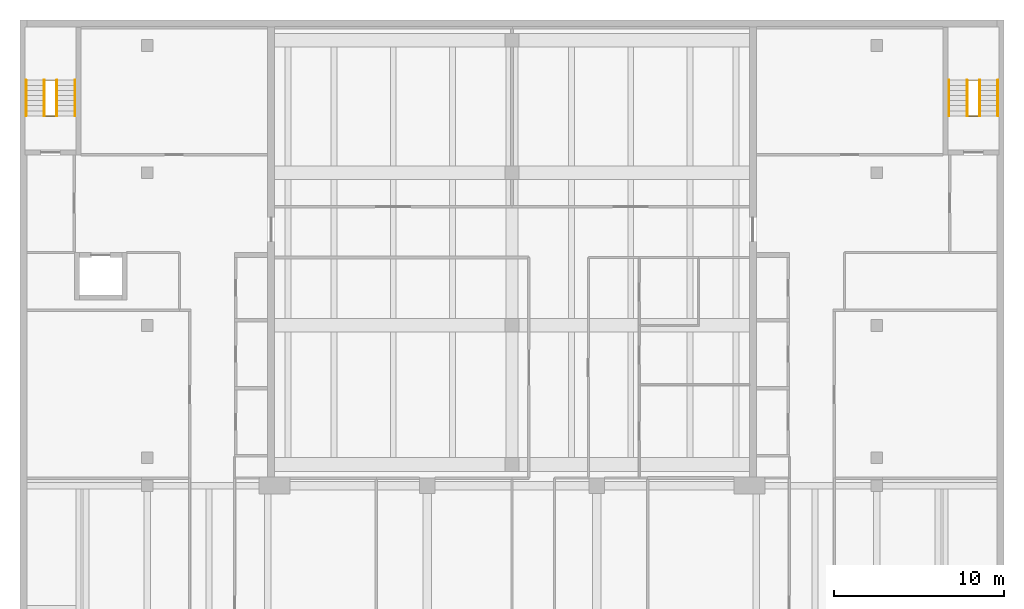
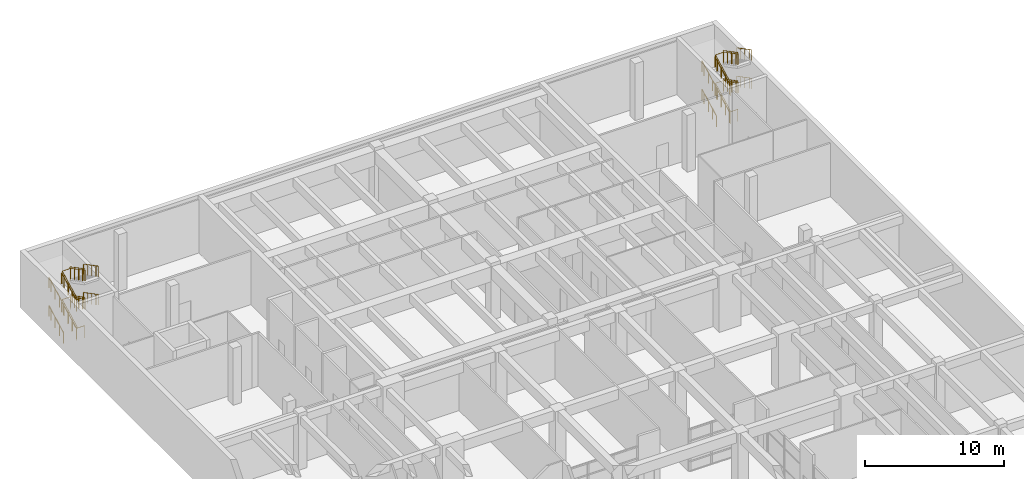
# One storey, part 28 of 29: 18 railings.
"""IFC4 building model written with IfcOpenShell, lengths in metres."""

from ifc_helpers import new_model, si_unit, direction, frame, origin, origin_2d, place, context, subcontext, project, spatial, circle, extrude, material, type_object, element, save


model = new_model("IFC4")

# Units and contexts
model_context = context("Model", 3, precision=1e-05, world=origin(), true_north=direction((0.0, 1.0)))
body_context = subcontext(model_context, "Body", "Model", "MODEL_VIEW")
ifc_project = project(units=[si_unit("LENGTHUNIT", "METRE"), si_unit("AREAUNIT", "SQUARE_METRE"), si_unit("VOLUMEUNIT", "CUBIC_METRE"), si_unit("PLANEANGLEUNIT", "RADIAN"), si_unit("MASSUNIT", "GRAM", prefix="KILO")], contexts=[model_context])

# Site, building, storey
site_placement = place(None, origin())
site = spatial("IfcSite", under=ifc_project, at=site_placement, CompositionType="ELEMENT")
building_placement = place(site_placement, origin())
building = spatial("IfcBuilding", under=site, at=building_placement, Name="Elmora Arch Market Hall", CompositionType="ELEMENT")
storey_placement = place(building_placement, frame((0.0, 0.0, -5.0)))
storey = spatial("IfcBuildingStorey", under=building, at=storey_placement, Name="LG", CompositionType="ELEMENT", Elevation=-5.0)

# Railings
ifc_material_1 = material(Name="Steel ASTM A500 Gr C", Category="steel")
railing_type_1 = type_object("IfcRailingType", Name="Stair guard 1100", PredefinedType="GUARDRAIL", material=ifc_material_1)
railing_1_placement = place(storey_placement, frame((2.1201171875, 120.35009765625, 0.0)))
element("IfcRailing", 1, at=railing_1_placement, inside=storey, type_object=railing_type_1, Name="Stair ST-W guard LG", PredefinedType="GUARDRAIL", context=body_context, shape_type="SweptSolid", body=[
    extrude(circle(Radius=0.02392578125, at=origin_2d()), frame((0.0, 0.0, 1.076171875), z_axis=(-1.0, 0.0, 0.0), x_axis=(0.0, -1.0, 0.0)), (0.0, 0.0, 1.0), 0.64013671875),
    extrude(circle(Radius=0.02392578125, at=origin_2d()), frame((-0.64013671875, 0.0, 1.076171875), z_axis=(0.0, 0.0, 1.0), x_axis=(1.0, 0.0, 0.0)), (0.0, 0.0, 1.0), 0.15625),
    extrude(circle(Radius=0.02392578125, at=origin_2d()), frame((-0.64013671875, 0.0, 1.232421875), z_axis=(0.0, 0.886867866569, 0.462023145791), x_axis=(-1.0, 0.0, 0.0)), (0.0, 0.0, 1.0), 0.67626953125),
    extrude(circle(Radius=0.02392578125, at=origin_2d()), frame((-0.64013671875, 0.599853515625, 1.544921875), z_axis=(0.0, 0.886944881109, 0.461875283897), x_axis=(-1.0, 0.0, 0.0)), (0.0, 0.0, 1.0), 0.676513671875),
    extrude(circle(Radius=0.02392578125, at=origin_2d()), frame((-0.64013671875, 1.199951171875, 1.857421875), z_axis=(0.0, 0.886867866569, 0.462023145791), x_axis=(-1.0, 0.0, 0.0)), (0.0, 0.0, 1.0), 0.67626953125),
    extrude(circle(Radius=0.02392578125, at=origin_2d()), frame((-0.64013671875, 1.7998046875, 2.169921875), z_axis=(0.0, 0.886944881109, 0.461875283897), x_axis=(-1.0, 0.0, 0.0)), (0.0, 0.0, 1.0), 0.33837890625),
    extrude(circle(Radius=0.02392578125, at=origin_2d()), frame((-0.64013671875, 2.099853515625, 2.326171875), z_axis=(1.0, 0.0, 0.0), x_axis=(0.0, 1.0, 0.0)), (0.0, 0.0, 1.0), 0.64013671875),
    extrude(circle(Radius=0.02392578125, at=origin_2d()), frame((0.0, 2.099853515625, 2.326171875), z_axis=(0.0, 0.0, 1.0), x_axis=(1.0, 0.0, 0.0)), (0.0, 0.0, 1.0), 0.15625),
    extrude(circle(Radius=0.02392578125, at=origin_2d()), frame((0.0, 2.099853515625, 2.482421875), z_axis=(0.0, -0.886867866569, 0.462023145791), x_axis=(1.0, 0.0, 0.0)), (0.0, 0.0, 1.0), 0.67626953125),
    extrude(circle(Radius=0.02392578125, at=origin_2d()), frame((0.0, 1.5, 2.794921875), z_axis=(0.0, -0.886944881109, 0.461875283897), x_axis=(1.0, 0.0, 0.0)), (0.0, 0.0, 1.0), 0.676513671875),
    extrude(circle(Radius=0.02392578125, at=origin_2d()), frame((0.0, 0.89990234375, 3.107421875), z_axis=(0.0, -0.886944881109, 0.461875283897), x_axis=(1.0, 0.0, 0.0)), (0.0, 0.0, 1.0), 0.676513671875),
    extrude(circle(Radius=0.02392578125, at=origin_2d()), frame((0.0, 0.2998046875, 3.419921875), z_axis=(0.0, -0.886790778033, 0.462171089529), x_axis=(1.0, 0.0, 0.0)), (0.0, 0.0, 1.0), 0.338134765625),
    extrude(circle(Radius=0.02392578125, at=origin_2d()), frame((0.0, 0.0, 3.576171875), z_axis=(-1.0, 0.0, 0.0), x_axis=(0.0, -1.0, 0.0)), (0.0, 0.0, 1.0), 0.64013671875),
    extrude(circle(Radius=0.02392578125, at=origin_2d()), frame((-0.64013671875, 0.0, 3.576171875), z_axis=(0.0, 0.0, 1.0), x_axis=(1.0, 0.0, 0.0)), (0.0, 0.0, 1.0), 0.15625),
    extrude(circle(Radius=0.02392578125, at=origin_2d()), frame((-0.64013671875, 0.0, 3.732421875), z_axis=(0.0, 0.886867866569, 0.462023145791), x_axis=(-1.0, 0.0, 0.0)), (0.0, 0.0, 1.0), 0.67626953125),
    extrude(circle(Radius=0.02392578125, at=origin_2d()), frame((-0.64013671875, 0.599853515625, 4.044921875), z_axis=(0.0, 0.886944881109, 0.461875283897), x_axis=(-1.0, 0.0, 0.0)), (0.0, 0.0, 1.0), 0.676513671875),
    extrude(circle(Radius=0.02392578125, at=origin_2d()), frame((-0.64013671875, 1.199951171875, 4.357421875), z_axis=(0.0, 0.886867866569, 0.462023145791), x_axis=(-1.0, 0.0, 0.0)), (0.0, 0.0, 1.0), 0.67626953125),
    extrude(circle(Radius=0.02392578125, at=origin_2d()), frame((-0.64013671875, 1.7998046875, 4.669921875), z_axis=(0.0, 0.886944881109, 0.461875283897), x_axis=(-1.0, 0.0, 0.0)), (0.0, 0.0, 1.0), 0.33837890625),
    extrude(circle(Radius=0.02392578125, at=origin_2d()), frame((-0.64013671875, 2.099853515625, 4.826171875), z_axis=(1.0, 0.0, 0.0), x_axis=(0.0, 1.0, 0.0)), (0.0, 0.0, 1.0), 0.64013671875),
    extrude(circle(Radius=0.02392578125, at=origin_2d()), frame((0.0, 2.099853515625, 4.826171875), z_axis=(0.0, 0.0, 1.0), x_axis=(1.0, 0.0, 0.0)), (0.0, 0.0, 1.0), 0.15625),
    extrude(circle(Radius=0.02392578125, at=origin_2d()), frame((0.0, 2.099853515625, 4.982421875), z_axis=(0.0, -0.886867866569, 0.462023145791), x_axis=(1.0, 0.0, 0.0)), (0.0, 0.0, 1.0), 0.67626953125),
    extrude(circle(Radius=0.02392578125, at=origin_2d()), frame((0.0, 1.5, 5.294921875), z_axis=(0.0, -0.886944881109, 0.461875283897), x_axis=(1.0, 0.0, 0.0)), (0.0, 0.0, 1.0), 0.676513671875),
    extrude(circle(Radius=0.02392578125, at=origin_2d()), frame((0.0, 0.89990234375, 5.607421875), z_axis=(0.0, -0.886944881109, 0.461875283897), x_axis=(1.0, 0.0, 0.0)), (0.0, 0.0, 1.0), 0.676513671875),
    extrude(circle(Radius=0.02392578125, at=origin_2d()), frame((0.0, 0.2998046875, 5.919921875), z_axis=(0.0, -0.886790778033, 0.462171089529), x_axis=(1.0, 0.0, 0.0)), (0.0, 0.0, 1.0), 0.338134765625),
    extrude(circle(Radius=0.02099609375, at=origin_2d()), origin(), (0.0, 0.0, 1.0), 1.052001953125),
    extrude(circle(Radius=0.02099609375, at=origin_2d()), frame((-0.64013671875, 0.0, 0.0)), (0.0, 0.0, 1.0), 1.052001953125),
    extrude(circle(Radius=0.02099609375, at=origin_2d()), frame((-0.64013671875, 0.0, 0.15625)), (0.0, 0.0, 1.0), 1.052001953125),
    extrude(circle(Radius=0.02099609375, at=origin_2d()), frame((-0.64013671875, 0.599853515625, 0.46875)), (0.0, 0.0, 1.0), 1.052001953125),
    extrude(circle(Radius=0.02099609375, at=origin_2d()), frame((-0.64013671875, 1.199951171875, 0.78125)), (0.0, 0.0, 1.0), 1.052001953125),
    extrude(circle(Radius=0.02099609375, at=origin_2d()), frame((-0.64013671875, 1.7998046875, 1.09375)), (0.0, 0.0, 1.0), 1.052001953125),
    extrude(circle(Radius=0.02099609375, at=origin_2d()), frame((-0.64013671875, 2.099853515625, 1.25)), (0.0, 0.0, 1.0), 1.052001953125),
    extrude(circle(Radius=0.02099609375, at=origin_2d()), frame((0.0, 2.099853515625, 1.25)), (0.0, 0.0, 1.0), 1.052001953125),
    extrude(circle(Radius=0.02099609375, at=origin_2d()), frame((0.0, 2.099853515625, 1.40625)), (0.0, 0.0, 1.0), 1.052001953125),
    extrude(circle(Radius=0.02099609375, at=origin_2d()), frame((0.0, 1.5, 1.71875)), (0.0, 0.0, 1.0), 1.052001953125),
    extrude(circle(Radius=0.02099609375, at=origin_2d()), frame((0.0, 0.89990234375, 2.03125)), (0.0, 0.0, 1.0), 1.052001953125),
    extrude(circle(Radius=0.02099609375, at=origin_2d()), frame((0.0, 0.2998046875, 2.34375)), (0.0, 0.0, 1.0), 1.052001953125),
    extrude(circle(Radius=0.02099609375, at=origin_2d()), frame((0.0, 0.0, 2.5)), (0.0, 0.0, 1.0), 1.052001953125),
    extrude(circle(Radius=0.02099609375, at=origin_2d()), frame((-0.64013671875, 0.0, 2.5)), (0.0, 0.0, 1.0), 1.052001953125),
    extrude(circle(Radius=0.02099609375, at=origin_2d()), frame((-0.64013671875, 0.0, 2.65625)), (0.0, 0.0, 1.0), 1.052001953125),
    extrude(circle(Radius=0.02099609375, at=origin_2d()), frame((-0.64013671875, 0.599853515625, 2.96875)), (0.0, 0.0, 1.0), 1.052001953125),
    extrude(circle(Radius=0.02099609375, at=origin_2d()), frame((-0.64013671875, 1.199951171875, 3.28125)), (0.0, 0.0, 1.0), 1.052001953125),
    extrude(circle(Radius=0.02099609375, at=origin_2d()), frame((-0.64013671875, 1.7998046875, 3.59375)), (0.0, 0.0, 1.0), 1.052001953125),
    extrude(circle(Radius=0.02099609375, at=origin_2d()), frame((-0.64013671875, 2.099853515625, 3.75)), (0.0, 0.0, 1.0), 1.052001953125),
    extrude(circle(Radius=0.02099609375, at=origin_2d()), frame((0.0, 2.099853515625, 3.75)), (0.0, 0.0, 1.0), 1.052001953125),
    extrude(circle(Radius=0.02099609375, at=origin_2d()), frame((0.0, 2.099853515625, 3.90625)), (0.0, 0.0, 1.0), 1.052001953125),
    extrude(circle(Radius=0.02099609375, at=origin_2d()), frame((0.0, 1.5, 4.21875)), (0.0, 0.0, 1.0), 1.052001953125),
    extrude(circle(Radius=0.02099609375, at=origin_2d()), frame((0.0, 0.89990234375, 4.53125)), (0.0, 0.0, 1.0), 1.052001953125),
    extrude(circle(Radius=0.02099609375, at=origin_2d()), frame((0.0, 0.2998046875, 4.84375)), (0.0, 0.0, 1.0), 1.052001953125),
    extrude(circle(Radius=0.02099609375, at=origin_2d()), frame((0.0, 0.0, 5.0)), (0.0, 0.0, 1.0), 1.052001953125),
])
railing_2_placement = place(storey_placement, frame((56.52001953125, 120.35009765625, 0.0)))
element("IfcRailing", 2, at=railing_2_placement, inside=storey, type_object=railing_type_1, Name="Stair ST-E guard LG", PredefinedType="GUARDRAIL", context=body_context, shape_type="SweptSolid", body=[
    extrude(circle(Radius=0.02392578125, at=origin_2d()), frame((0.0, 0.0, 1.076171875), z_axis=(-1.0, 0.0, 0.0), x_axis=(0.0, -1.0, 0.0)), (0.0, 0.0, 1.0), 0.64013671875),
    extrude(circle(Radius=0.02392578125, at=origin_2d()), frame((-0.64013671875, 0.0, 1.076171875), z_axis=(0.0, 0.0, 1.0), x_axis=(1.0, 0.0, 0.0)), (0.0, 0.0, 1.0), 0.15625),
    extrude(circle(Radius=0.02392578125, at=origin_2d()), frame((-0.64013671875, 0.0, 1.232421875), z_axis=(0.0, 0.886867866569, 0.462023145791), x_axis=(-1.0, 0.0, 0.0)), (0.0, 0.0, 1.0), 0.67626953125),
    extrude(circle(Radius=0.02392578125, at=origin_2d()), frame((-0.64013671875, 0.599853515625, 1.544921875), z_axis=(0.0, 0.886944881109, 0.461875283897), x_axis=(-1.0, 0.0, 0.0)), (0.0, 0.0, 1.0), 0.676513671875),
    extrude(circle(Radius=0.02392578125, at=origin_2d()), frame((-0.64013671875, 1.199951171875, 1.857421875), z_axis=(0.0, 0.886867866569, 0.462023145791), x_axis=(-1.0, 0.0, 0.0)), (0.0, 0.0, 1.0), 0.67626953125),
    extrude(circle(Radius=0.02392578125, at=origin_2d()), frame((-0.64013671875, 1.7998046875, 2.169921875), z_axis=(0.0, 0.886944881109, 0.461875283897), x_axis=(-1.0, 0.0, 0.0)), (0.0, 0.0, 1.0), 0.33837890625),
    extrude(circle(Radius=0.02392578125, at=origin_2d()), frame((-0.64013671875, 2.099853515625, 2.326171875), z_axis=(1.0, 0.0, 0.0), x_axis=(0.0, 1.0, 0.0)), (0.0, 0.0, 1.0), 0.64013671875),
    extrude(circle(Radius=0.02392578125, at=origin_2d()), frame((0.0, 2.099853515625, 2.326171875), z_axis=(0.0, 0.0, 1.0), x_axis=(1.0, 0.0, 0.0)), (0.0, 0.0, 1.0), 0.15625),
    extrude(circle(Radius=0.02392578125, at=origin_2d()), frame((0.0, 2.099853515625, 2.482421875), z_axis=(0.0, -0.886867866569, 0.462023145791), x_axis=(1.0, 0.0, 0.0)), (0.0, 0.0, 1.0), 0.67626953125),
    extrude(circle(Radius=0.02392578125, at=origin_2d()), frame((0.0, 1.5, 2.794921875), z_axis=(0.0, -0.886944881109, 0.461875283897), x_axis=(1.0, 0.0, 0.0)), (0.0, 0.0, 1.0), 0.676513671875),
    extrude(circle(Radius=0.02392578125, at=origin_2d()), frame((0.0, 0.89990234375, 3.107421875), z_axis=(0.0, -0.886944881109, 0.461875283897), x_axis=(1.0, 0.0, 0.0)), (0.0, 0.0, 1.0), 0.676513671875),
    extrude(circle(Radius=0.02392578125, at=origin_2d()), frame((0.0, 0.2998046875, 3.419921875), z_axis=(0.0, -0.886790778033, 0.462171089529), x_axis=(1.0, 0.0, 0.0)), (0.0, 0.0, 1.0), 0.338134765625),
    extrude(circle(Radius=0.02392578125, at=origin_2d()), frame((0.0, 0.0, 3.576171875), z_axis=(-1.0, 0.0, 0.0), x_axis=(0.0, -1.0, 0.0)), (0.0, 0.0, 1.0), 0.64013671875),
    extrude(circle(Radius=0.02392578125, at=origin_2d()), frame((-0.64013671875, 0.0, 3.576171875), z_axis=(0.0, 0.0, 1.0), x_axis=(1.0, 0.0, 0.0)), (0.0, 0.0, 1.0), 0.15625),
    extrude(circle(Radius=0.02392578125, at=origin_2d()), frame((-0.64013671875, 0.0, 3.732421875), z_axis=(0.0, 0.886867866569, 0.462023145791), x_axis=(-1.0, 0.0, 0.0)), (0.0, 0.0, 1.0), 0.67626953125),
    extrude(circle(Radius=0.02392578125, at=origin_2d()), frame((-0.64013671875, 0.599853515625, 4.044921875), z_axis=(0.0, 0.886944881109, 0.461875283897), x_axis=(-1.0, 0.0, 0.0)), (0.0, 0.0, 1.0), 0.676513671875),
    extrude(circle(Radius=0.02392578125, at=origin_2d()), frame((-0.64013671875, 1.199951171875, 4.357421875), z_axis=(0.0, 0.886867866569, 0.462023145791), x_axis=(-1.0, 0.0, 0.0)), (0.0, 0.0, 1.0), 0.67626953125),
    extrude(circle(Radius=0.02392578125, at=origin_2d()), frame((-0.64013671875, 1.7998046875, 4.669921875), z_axis=(0.0, 0.886944881109, 0.461875283897), x_axis=(-1.0, 0.0, 0.0)), (0.0, 0.0, 1.0), 0.33837890625),
    extrude(circle(Radius=0.02392578125, at=origin_2d()), frame((-0.64013671875, 2.099853515625, 4.826171875), z_axis=(1.0, 0.0, 0.0), x_axis=(0.0, 1.0, 0.0)), (0.0, 0.0, 1.0), 0.64013671875),
    extrude(circle(Radius=0.02392578125, at=origin_2d()), frame((0.0, 2.099853515625, 4.826171875), z_axis=(0.0, 0.0, 1.0), x_axis=(1.0, 0.0, 0.0)), (0.0, 0.0, 1.0), 0.15625),
    extrude(circle(Radius=0.02392578125, at=origin_2d()), frame((0.0, 2.099853515625, 4.982421875), z_axis=(0.0, -0.886867866569, 0.462023145791), x_axis=(1.0, 0.0, 0.0)), (0.0, 0.0, 1.0), 0.67626953125),
    extrude(circle(Radius=0.02392578125, at=origin_2d()), frame((0.0, 1.5, 5.294921875), z_axis=(0.0, -0.886944881109, 0.461875283897), x_axis=(1.0, 0.0, 0.0)), (0.0, 0.0, 1.0), 0.676513671875),
    extrude(circle(Radius=0.02392578125, at=origin_2d()), frame((0.0, 0.89990234375, 5.607421875), z_axis=(0.0, -0.886944881109, 0.461875283897), x_axis=(1.0, 0.0, 0.0)), (0.0, 0.0, 1.0), 0.676513671875),
    extrude(circle(Radius=0.02392578125, at=origin_2d()), frame((0.0, 0.2998046875, 5.919921875), z_axis=(0.0, -0.886790778033, 0.462171089529), x_axis=(1.0, 0.0, 0.0)), (0.0, 0.0, 1.0), 0.338134765625),
    extrude(circle(Radius=0.02099609375, at=origin_2d()), origin(), (0.0, 0.0, 1.0), 1.052001953125),
    extrude(circle(Radius=0.02099609375, at=origin_2d()), frame((-0.64013671875, 0.0, 0.0)), (0.0, 0.0, 1.0), 1.052001953125),
    extrude(circle(Radius=0.02099609375, at=origin_2d()), frame((-0.64013671875, 0.0, 0.15625)), (0.0, 0.0, 1.0), 1.052001953125),
    extrude(circle(Radius=0.02099609375, at=origin_2d()), frame((-0.64013671875, 0.599853515625, 0.46875)), (0.0, 0.0, 1.0), 1.052001953125),
    extrude(circle(Radius=0.02099609375, at=origin_2d()), frame((-0.64013671875, 1.199951171875, 0.78125)), (0.0, 0.0, 1.0), 1.052001953125),
    extrude(circle(Radius=0.02099609375, at=origin_2d()), frame((-0.64013671875, 1.7998046875, 1.09375)), (0.0, 0.0, 1.0), 1.052001953125),
    extrude(circle(Radius=0.02099609375, at=origin_2d()), frame((-0.64013671875, 2.099853515625, 1.25)), (0.0, 0.0, 1.0), 1.052001953125),
    extrude(circle(Radius=0.02099609375, at=origin_2d()), frame((0.0, 2.099853515625, 1.25)), (0.0, 0.0, 1.0), 1.052001953125),
    extrude(circle(Radius=0.02099609375, at=origin_2d()), frame((0.0, 2.099853515625, 1.40625)), (0.0, 0.0, 1.0), 1.052001953125),
    extrude(circle(Radius=0.02099609375, at=origin_2d()), frame((0.0, 1.5, 1.71875)), (0.0, 0.0, 1.0), 1.052001953125),
    extrude(circle(Radius=0.02099609375, at=origin_2d()), frame((0.0, 0.89990234375, 2.03125)), (0.0, 0.0, 1.0), 1.052001953125),
    extrude(circle(Radius=0.02099609375, at=origin_2d()), frame((0.0, 0.2998046875, 2.34375)), (0.0, 0.0, 1.0), 1.052001953125),
    extrude(circle(Radius=0.02099609375, at=origin_2d()), frame((0.0, 0.0, 2.5)), (0.0, 0.0, 1.0), 1.052001953125),
    extrude(circle(Radius=0.02099609375, at=origin_2d()), frame((-0.64013671875, 0.0, 2.5)), (0.0, 0.0, 1.0), 1.052001953125),
    extrude(circle(Radius=0.02099609375, at=origin_2d()), frame((-0.64013671875, 0.0, 2.65625)), (0.0, 0.0, 1.0), 1.052001953125),
    extrude(circle(Radius=0.02099609375, at=origin_2d()), frame((-0.64013671875, 0.599853515625, 2.96875)), (0.0, 0.0, 1.0), 1.052001953125),
    extrude(circle(Radius=0.02099609375, at=origin_2d()), frame((-0.64013671875, 1.199951171875, 3.28125)), (0.0, 0.0, 1.0), 1.052001953125),
    extrude(circle(Radius=0.02099609375, at=origin_2d()), frame((-0.64013671875, 1.7998046875, 3.59375)), (0.0, 0.0, 1.0), 1.052001953125),
    extrude(circle(Radius=0.02099609375, at=origin_2d()), frame((-0.64013671875, 2.099853515625, 3.75)), (0.0, 0.0, 1.0), 1.052001953125),
    extrude(circle(Radius=0.02099609375, at=origin_2d()), frame((0.0, 2.099853515625, 3.75)), (0.0, 0.0, 1.0), 1.052001953125),
    extrude(circle(Radius=0.02099609375, at=origin_2d()), frame((0.0, 2.099853515625, 3.90625)), (0.0, 0.0, 1.0), 1.052001953125),
    extrude(circle(Radius=0.02099609375, at=origin_2d()), frame((0.0, 1.5, 4.21875)), (0.0, 0.0, 1.0), 1.052001953125),
    extrude(circle(Radius=0.02099609375, at=origin_2d()), frame((0.0, 0.89990234375, 4.53125)), (0.0, 0.0, 1.0), 1.052001953125),
    extrude(circle(Radius=0.02099609375, at=origin_2d()), frame((0.0, 0.2998046875, 4.84375)), (0.0, 0.0, 1.0), 1.052001953125),
    extrude(circle(Radius=0.02099609375, at=origin_2d()), frame((0.0, 0.0, 5.0)), (0.0, 0.0, 1.0), 1.052001953125),
])
ifc_material_2 = material(Name="Stainless steel ASTM A554 Grade 304", Category="steel")
railing_type_2 = type_object("IfcRailingType", Name="Stair handrail 950", PredefinedType="HANDRAIL", material=ifc_material_2)
for number, where, name in (
    (3, (0.360107421875, 120.35009765625, 0.15625), "Stair ST-W LG flight 1 handrail"),
    (4, (1.429931640625, 120.35009765625, 0.15625), "Stair ST-W LG flight 1 handrail"),
):
    element("IfcRailing", number, at=place(storey_placement, frame(where)), inside=storey, type_object=railing_type_2, Name=name, PredefinedType="HANDRAIL", context=body_context, shape_type="SweptSolid", body=[
        extrude(circle(Radius=0.02392578125, at=origin_2d()), frame((0.0, 0.0, 0.92578125), z_axis=(0.0, 0.886867866569, 0.462023145791), x_axis=(-1.0, 0.0, 0.0)), (0.0, 0.0, 1.0), 0.67626953125),
        extrude(circle(Radius=0.02392578125, at=origin_2d()), frame((0.0, 0.599853515625, 1.23828125), z_axis=(0.0, 0.886944881109, 0.461875283897), x_axis=(-1.0, 0.0, 0.0)), (0.0, 0.0, 1.0), 0.676513671875),
        extrude(circle(Radius=0.02392578125, at=origin_2d()), frame((0.0, 1.199951171875, 1.55078125), z_axis=(0.0, 0.886867866569, 0.462023145791), x_axis=(-1.0, 0.0, 0.0)), (0.0, 0.0, 1.0), 0.67626953125),
        extrude(circle(Radius=0.02392578125, at=origin_2d()), frame((0.0, 1.7998046875, 1.86328125), z_axis=(0.0, 0.886944881109, 0.461875283897), x_axis=(-1.0, 0.0, 0.0)), (0.0, 0.0, 1.0), 0.33837890625),
        extrude(circle(Radius=0.02099609375, at=origin_2d()), origin(), (0.0, 0.0, 1.0), 0.90185546875),
        extrude(circle(Radius=0.02099609375, at=origin_2d()), frame((0.0, 0.599853515625, 0.3125)), (0.0, 0.0, 1.0), 0.90185546875),
        extrude(circle(Radius=0.02099609375, at=origin_2d()), frame((0.0, 1.199951171875, 0.625)), (0.0, 0.0, 1.0), 0.90185546875),
        extrude(circle(Radius=0.02099609375, at=origin_2d()), frame((0.0, 1.7998046875, 0.9375)), (0.0, 0.0, 1.0), 0.90185546875),
        extrude(circle(Radius=0.02099609375, at=origin_2d()), frame((0.0, 2.099853515625, 1.09375)), (0.0, 0.0, 1.0), 0.90185546875),
    ])
for number, where, name in (
    (5, (3.239990234375, 122.449951171875, 1.40625), "Stair ST-W LG flight 2 handrail"),
    (6, (2.169921875, 122.449951171875, 1.40625), "Stair ST-W LG flight 2 handrail"),
):
    element("IfcRailing", number, at=place(storey_placement, frame(where)), inside=storey, type_object=railing_type_2, Name=name, PredefinedType="HANDRAIL", context=body_context, shape_type="SweptSolid", body=[
        extrude(circle(Radius=0.02392578125, at=origin_2d()), frame((0.0, 0.0, 0.92578125), z_axis=(0.0, -0.886867866569, 0.462023145791), x_axis=(1.0, 0.0, 0.0)), (0.0, 0.0, 1.0), 0.67626953125),
        extrude(circle(Radius=0.02392578125, at=origin_2d()), frame((0.0, -0.599853515625, 1.23828125), z_axis=(0.0, -0.886944881109, 0.461875283897), x_axis=(1.0, 0.0, 0.0)), (0.0, 0.0, 1.0), 0.676513671875),
        extrude(circle(Radius=0.02392578125, at=origin_2d()), frame((0.0, -1.199951171875, 1.55078125), z_axis=(0.0, -0.886944881109, 0.461875283897), x_axis=(1.0, 0.0, 0.0)), (0.0, 0.0, 1.0), 0.676513671875),
        extrude(circle(Radius=0.02392578125, at=origin_2d()), frame((0.0, -1.800048828125, 1.86328125), z_axis=(0.0, -0.886790778033, 0.462171089529), x_axis=(1.0, 0.0, 0.0)), (0.0, 0.0, 1.0), 0.338134765625),
        extrude(circle(Radius=0.02099609375, at=origin_2d()), origin(), (0.0, 0.0, 1.0), 0.90185546875),
        extrude(circle(Radius=0.02099609375, at=origin_2d()), frame((0.0, -0.599853515625, 0.3125)), (0.0, 0.0, 1.0), 0.90185546875),
        extrude(circle(Radius=0.02099609375, at=origin_2d()), frame((0.0, -1.199951171875, 0.625)), (0.0, 0.0, 1.0), 0.90185546875),
        extrude(circle(Radius=0.02099609375, at=origin_2d()), frame((0.0, -1.800048828125, 0.9375)), (0.0, 0.0, 1.0), 0.90185546875),
        extrude(circle(Radius=0.02099609375, at=origin_2d()), frame((0.0, -2.099853515625, 1.09375)), (0.0, 0.0, 1.0), 0.90185546875),
    ])
for number, where, name in (
    (7, (0.360107421875, 120.35009765625, 2.65625), "Stair ST-W LG flight 3 handrail"),
    (8, (1.429931640625, 120.35009765625, 2.65625), "Stair ST-W LG flight 3 handrail"),
):
    element("IfcRailing", number, at=place(storey_placement, frame(where)), inside=storey, type_object=railing_type_2, Name=name, PredefinedType="HANDRAIL", context=body_context, shape_type="SweptSolid", body=[
        extrude(circle(Radius=0.02392578125, at=origin_2d()), frame((0.0, 0.0, 0.92578125), z_axis=(0.0, 0.886867866569, 0.462023145791), x_axis=(-1.0, 0.0, 0.0)), (0.0, 0.0, 1.0), 0.67626953125),
        extrude(circle(Radius=0.02392578125, at=origin_2d()), frame((0.0, 0.599853515625, 1.23828125), z_axis=(0.0, 0.886944881109, 0.461875283897), x_axis=(-1.0, 0.0, 0.0)), (0.0, 0.0, 1.0), 0.676513671875),
        extrude(circle(Radius=0.02392578125, at=origin_2d()), frame((0.0, 1.199951171875, 1.55078125), z_axis=(0.0, 0.886867866569, 0.462023145791), x_axis=(-1.0, 0.0, 0.0)), (0.0, 0.0, 1.0), 0.67626953125),
        extrude(circle(Radius=0.02392578125, at=origin_2d()), frame((0.0, 1.7998046875, 1.86328125), z_axis=(0.0, 0.886944881109, 0.461875283897), x_axis=(-1.0, 0.0, 0.0)), (0.0, 0.0, 1.0), 0.33837890625),
        extrude(circle(Radius=0.02099609375, at=origin_2d()), origin(), (0.0, 0.0, 1.0), 0.90185546875),
        extrude(circle(Radius=0.02099609375, at=origin_2d()), frame((0.0, 0.599853515625, 0.3125)), (0.0, 0.0, 1.0), 0.90185546875),
        extrude(circle(Radius=0.02099609375, at=origin_2d()), frame((0.0, 1.199951171875, 0.625)), (0.0, 0.0, 1.0), 0.90185546875),
        extrude(circle(Radius=0.02099609375, at=origin_2d()), frame((0.0, 1.7998046875, 0.9375)), (0.0, 0.0, 1.0), 0.90185546875),
        extrude(circle(Radius=0.02099609375, at=origin_2d()), frame((0.0, 2.099853515625, 1.09375)), (0.0, 0.0, 1.0), 0.90185546875),
    ])
for number, where, name in (
    (9, (3.239990234375, 122.449951171875, 3.90625), "Stair ST-W LG flight 4 handrail"),
    (10, (2.169921875, 122.449951171875, 3.90625), "Stair ST-W LG flight 4 handrail"),
):
    element("IfcRailing", number, at=place(storey_placement, frame(where)), inside=storey, type_object=railing_type_2, Name=name, PredefinedType="HANDRAIL", context=body_context, shape_type="SweptSolid", body=[
        extrude(circle(Radius=0.02392578125, at=origin_2d()), frame((0.0, 0.0, 0.92578125), z_axis=(0.0, -0.886867866569, 0.462023145791), x_axis=(1.0, 0.0, 0.0)), (0.0, 0.0, 1.0), 0.67626953125),
        extrude(circle(Radius=0.02392578125, at=origin_2d()), frame((0.0, -0.599853515625, 1.23828125), z_axis=(0.0, -0.886944881109, 0.461875283897), x_axis=(1.0, 0.0, 0.0)), (0.0, 0.0, 1.0), 0.676513671875),
        extrude(circle(Radius=0.02392578125, at=origin_2d()), frame((0.0, -1.199951171875, 1.55078125), z_axis=(0.0, -0.886944881109, 0.461875283897), x_axis=(1.0, 0.0, 0.0)), (0.0, 0.0, 1.0), 0.676513671875),
        extrude(circle(Radius=0.02392578125, at=origin_2d()), frame((0.0, -1.800048828125, 1.86328125), z_axis=(0.0, -0.886790778033, 0.462171089529), x_axis=(1.0, 0.0, 0.0)), (0.0, 0.0, 1.0), 0.338134765625),
        extrude(circle(Radius=0.02099609375, at=origin_2d()), origin(), (0.0, 0.0, 1.0), 0.90185546875),
        extrude(circle(Radius=0.02099609375, at=origin_2d()), frame((0.0, -0.599853515625, 0.3125)), (0.0, 0.0, 1.0), 0.90185546875),
        extrude(circle(Radius=0.02099609375, at=origin_2d()), frame((0.0, -1.199951171875, 0.625)), (0.0, 0.0, 1.0), 0.90185546875),
        extrude(circle(Radius=0.02099609375, at=origin_2d()), frame((0.0, -1.800048828125, 0.9375)), (0.0, 0.0, 1.0), 0.90185546875),
        extrude(circle(Radius=0.02099609375, at=origin_2d()), frame((0.0, -2.099853515625, 1.09375)), (0.0, 0.0, 1.0), 0.90185546875),
    ])
for number, where, name in (
    (11, (54.760009765625, 120.35009765625, 0.15625), "Stair ST-E LG flight 1 handrail"),
    (12, (55.830078125, 120.35009765625, 0.15625), "Stair ST-E LG flight 1 handrail"),
):
    element("IfcRailing", number, at=place(storey_placement, frame(where)), inside=storey, type_object=railing_type_2, Name=name, PredefinedType="HANDRAIL", context=body_context, shape_type="SweptSolid", body=[
        extrude(circle(Radius=0.02392578125, at=origin_2d()), frame((0.0, 0.0, 0.92578125), z_axis=(0.0, 0.886867866569, 0.462023145791), x_axis=(-1.0, 0.0, 0.0)), (0.0, 0.0, 1.0), 0.67626953125),
        extrude(circle(Radius=0.02392578125, at=origin_2d()), frame((0.0, 0.599853515625, 1.23828125), z_axis=(0.0, 0.886944881109, 0.461875283897), x_axis=(-1.0, 0.0, 0.0)), (0.0, 0.0, 1.0), 0.676513671875),
        extrude(circle(Radius=0.02392578125, at=origin_2d()), frame((0.0, 1.199951171875, 1.55078125), z_axis=(0.0, 0.886867866569, 0.462023145791), x_axis=(-1.0, 0.0, 0.0)), (0.0, 0.0, 1.0), 0.67626953125),
        extrude(circle(Radius=0.02392578125, at=origin_2d()), frame((0.0, 1.7998046875, 1.86328125), z_axis=(0.0, 0.886944881109, 0.461875283897), x_axis=(-1.0, 0.0, 0.0)), (0.0, 0.0, 1.0), 0.33837890625),
        extrude(circle(Radius=0.02099609375, at=origin_2d()), origin(), (0.0, 0.0, 1.0), 0.90185546875),
        extrude(circle(Radius=0.02099609375, at=origin_2d()), frame((0.0, 0.599853515625, 0.3125)), (0.0, 0.0, 1.0), 0.90185546875),
        extrude(circle(Radius=0.02099609375, at=origin_2d()), frame((0.0, 1.199951171875, 0.625)), (0.0, 0.0, 1.0), 0.90185546875),
        extrude(circle(Radius=0.02099609375, at=origin_2d()), frame((0.0, 1.7998046875, 0.9375)), (0.0, 0.0, 1.0), 0.90185546875),
        extrude(circle(Radius=0.02099609375, at=origin_2d()), frame((0.0, 2.099853515625, 1.09375)), (0.0, 0.0, 1.0), 0.90185546875),
    ])
for number, where, name in (
    (13, (57.639892578125, 122.449951171875, 1.40625), "Stair ST-E LG flight 2 handrail"),
    (14, (56.570068359375, 122.449951171875, 1.40625), "Stair ST-E LG flight 2 handrail"),
):
    element("IfcRailing", number, at=place(storey_placement, frame(where)), inside=storey, type_object=railing_type_2, Name=name, PredefinedType="HANDRAIL", context=body_context, shape_type="SweptSolid", body=[
        extrude(circle(Radius=0.02392578125, at=origin_2d()), frame((0.0, 0.0, 0.92578125), z_axis=(0.0, -0.886867866569, 0.462023145791), x_axis=(1.0, 0.0, 0.0)), (0.0, 0.0, 1.0), 0.67626953125),
        extrude(circle(Radius=0.02392578125, at=origin_2d()), frame((0.0, -0.599853515625, 1.23828125), z_axis=(0.0, -0.886944881109, 0.461875283897), x_axis=(1.0, 0.0, 0.0)), (0.0, 0.0, 1.0), 0.676513671875),
        extrude(circle(Radius=0.02392578125, at=origin_2d()), frame((0.0, -1.199951171875, 1.55078125), z_axis=(0.0, -0.886944881109, 0.461875283897), x_axis=(1.0, 0.0, 0.0)), (0.0, 0.0, 1.0), 0.676513671875),
        extrude(circle(Radius=0.02392578125, at=origin_2d()), frame((0.0, -1.800048828125, 1.86328125), z_axis=(0.0, -0.886790778033, 0.462171089529), x_axis=(1.0, 0.0, 0.0)), (0.0, 0.0, 1.0), 0.338134765625),
        extrude(circle(Radius=0.02099609375, at=origin_2d()), origin(), (0.0, 0.0, 1.0), 0.90185546875),
        extrude(circle(Radius=0.02099609375, at=origin_2d()), frame((0.0, -0.599853515625, 0.3125)), (0.0, 0.0, 1.0), 0.90185546875),
        extrude(circle(Radius=0.02099609375, at=origin_2d()), frame((0.0, -1.199951171875, 0.625)), (0.0, 0.0, 1.0), 0.90185546875),
        extrude(circle(Radius=0.02099609375, at=origin_2d()), frame((0.0, -1.800048828125, 0.9375)), (0.0, 0.0, 1.0), 0.90185546875),
        extrude(circle(Radius=0.02099609375, at=origin_2d()), frame((0.0, -2.099853515625, 1.09375)), (0.0, 0.0, 1.0), 0.90185546875),
    ])
for number, where, name in (
    (15, (54.760009765625, 120.35009765625, 2.65625), "Stair ST-E LG flight 3 handrail"),
    (16, (55.830078125, 120.35009765625, 2.65625), "Stair ST-E LG flight 3 handrail"),
):
    element("IfcRailing", number, at=place(storey_placement, frame(where)), inside=storey, type_object=railing_type_2, Name=name, PredefinedType="HANDRAIL", context=body_context, shape_type="SweptSolid", body=[
        extrude(circle(Radius=0.02392578125, at=origin_2d()), frame((0.0, 0.0, 0.92578125), z_axis=(0.0, 0.886867866569, 0.462023145791), x_axis=(-1.0, 0.0, 0.0)), (0.0, 0.0, 1.0), 0.67626953125),
        extrude(circle(Radius=0.02392578125, at=origin_2d()), frame((0.0, 0.599853515625, 1.23828125), z_axis=(0.0, 0.886944881109, 0.461875283897), x_axis=(-1.0, 0.0, 0.0)), (0.0, 0.0, 1.0), 0.676513671875),
        extrude(circle(Radius=0.02392578125, at=origin_2d()), frame((0.0, 1.199951171875, 1.55078125), z_axis=(0.0, 0.886867866569, 0.462023145791), x_axis=(-1.0, 0.0, 0.0)), (0.0, 0.0, 1.0), 0.67626953125),
        extrude(circle(Radius=0.02392578125, at=origin_2d()), frame((0.0, 1.7998046875, 1.86328125), z_axis=(0.0, 0.886944881109, 0.461875283897), x_axis=(-1.0, 0.0, 0.0)), (0.0, 0.0, 1.0), 0.33837890625),
        extrude(circle(Radius=0.02099609375, at=origin_2d()), origin(), (0.0, 0.0, 1.0), 0.90185546875),
        extrude(circle(Radius=0.02099609375, at=origin_2d()), frame((0.0, 0.599853515625, 0.3125)), (0.0, 0.0, 1.0), 0.90185546875),
        extrude(circle(Radius=0.02099609375, at=origin_2d()), frame((0.0, 1.199951171875, 0.625)), (0.0, 0.0, 1.0), 0.90185546875),
        extrude(circle(Radius=0.02099609375, at=origin_2d()), frame((0.0, 1.7998046875, 0.9375)), (0.0, 0.0, 1.0), 0.90185546875),
        extrude(circle(Radius=0.02099609375, at=origin_2d()), frame((0.0, 2.099853515625, 1.09375)), (0.0, 0.0, 1.0), 0.90185546875),
    ])
for number, where, name in (
    (17, (57.639892578125, 122.449951171875, 3.90625), "Stair ST-E LG flight 4 handrail"),
    (18, (56.570068359375, 122.449951171875, 3.90625), "Stair ST-E LG flight 4 handrail"),
):
    element("IfcRailing", number, at=place(storey_placement, frame(where)), inside=storey, type_object=railing_type_2, Name=name, PredefinedType="HANDRAIL", context=body_context, shape_type="SweptSolid", body=[
        extrude(circle(Radius=0.02392578125, at=origin_2d()), frame((0.0, 0.0, 0.92578125), z_axis=(0.0, -0.886867866569, 0.462023145791), x_axis=(1.0, 0.0, 0.0)), (0.0, 0.0, 1.0), 0.67626953125),
        extrude(circle(Radius=0.02392578125, at=origin_2d()), frame((0.0, -0.599853515625, 1.23828125), z_axis=(0.0, -0.886944881109, 0.461875283897), x_axis=(1.0, 0.0, 0.0)), (0.0, 0.0, 1.0), 0.676513671875),
        extrude(circle(Radius=0.02392578125, at=origin_2d()), frame((0.0, -1.199951171875, 1.55078125), z_axis=(0.0, -0.886944881109, 0.461875283897), x_axis=(1.0, 0.0, 0.0)), (0.0, 0.0, 1.0), 0.676513671875),
        extrude(circle(Radius=0.02392578125, at=origin_2d()), frame((0.0, -1.800048828125, 1.86328125), z_axis=(0.0, -0.886790778033, 0.462171089529), x_axis=(1.0, 0.0, 0.0)), (0.0, 0.0, 1.0), 0.338134765625),
        extrude(circle(Radius=0.02099609375, at=origin_2d()), origin(), (0.0, 0.0, 1.0), 0.90185546875),
        extrude(circle(Radius=0.02099609375, at=origin_2d()), frame((0.0, -0.599853515625, 0.3125)), (0.0, 0.0, 1.0), 0.90185546875),
        extrude(circle(Radius=0.02099609375, at=origin_2d()), frame((0.0, -1.199951171875, 0.625)), (0.0, 0.0, 1.0), 0.90185546875),
        extrude(circle(Radius=0.02099609375, at=origin_2d()), frame((0.0, -1.800048828125, 0.9375)), (0.0, 0.0, 1.0), 0.90185546875),
        extrude(circle(Radius=0.02099609375, at=origin_2d()), frame((0.0, -2.099853515625, 1.09375)), (0.0, 0.0, 1.0), 0.90185546875),
    ])

save(model, "model.ifc")
